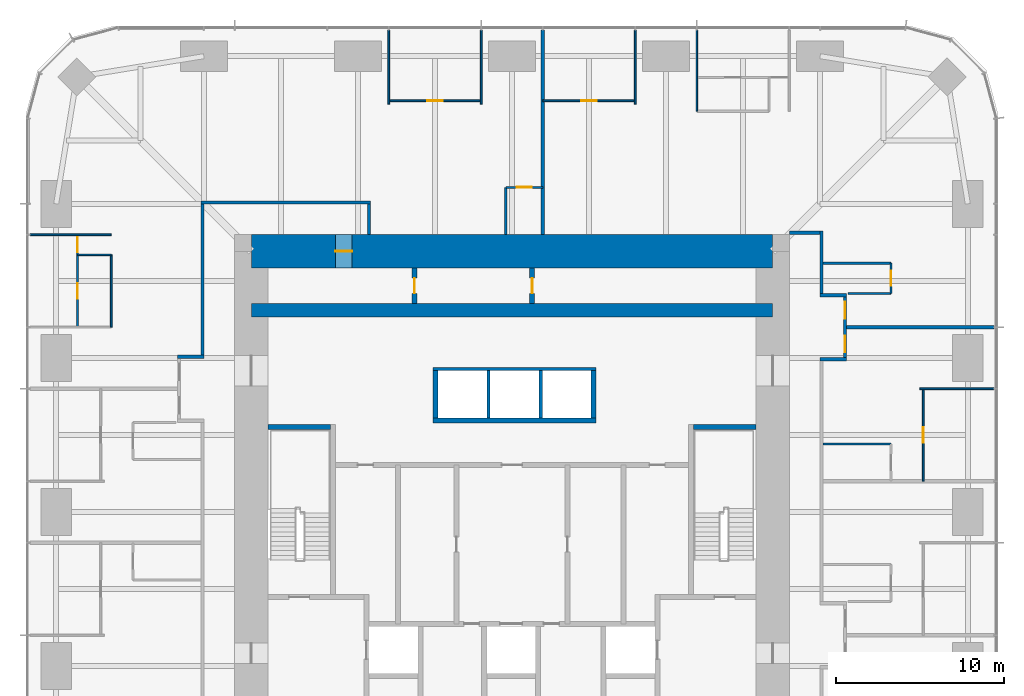
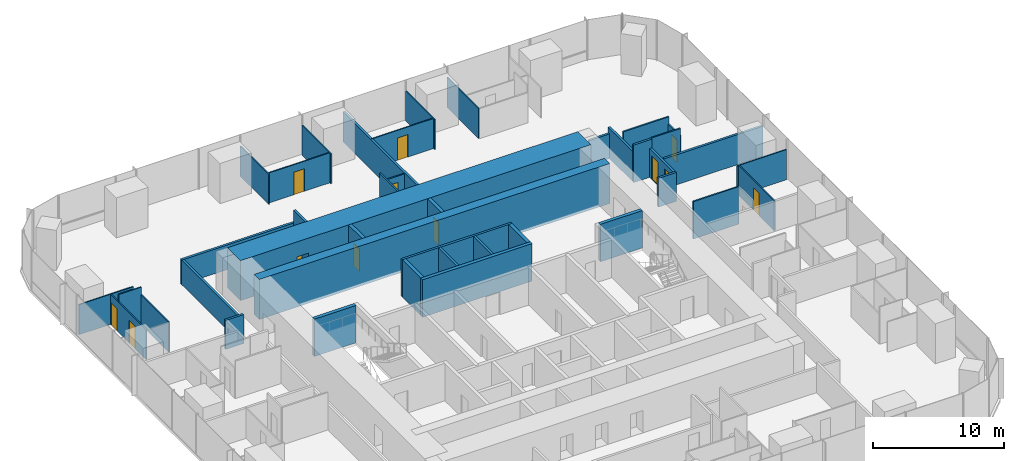
# One storey, part 11 of 13: 41 walls, 12 doors, 12 openings.
"""IFC4 building model written with IfcOpenShell, lengths in metres."""

from ifc_helpers import new_model, si_unit, direction, frame, frame_2d, origin, place, context, subcontext, project, spatial, rectangle, extrude, material, layer, layer_set, type_object, element, fill, save


model = new_model("IFC4")

# Units and contexts
model_context = context("Model", 3, precision=1e-05, world=origin(), true_north=direction((0.0, 1.0)))
body_context = subcontext(model_context, "Body", "Model", "MODEL_VIEW")
ifc_project = project(units=[si_unit("LENGTHUNIT", "METRE"), si_unit("AREAUNIT", "SQUARE_METRE"), si_unit("VOLUMEUNIT", "CUBIC_METRE"), si_unit("PLANEANGLEUNIT", "RADIAN"), si_unit("MASSUNIT", "GRAM", prefix="KILO")], contexts=[model_context])

# Site, building, storey
site_placement = place(None, origin())
site = spatial("IfcSite", under=ifc_project, at=site_placement, CompositionType="ELEMENT")
building_placement = place(site_placement, origin())
building = spatial("IfcBuilding", under=site, at=building_placement, Name="Khuree Lantern Residences", CompositionType="ELEMENT")
storey_placement = place(building_placement, frame((0.0, 0.0, 137.25)))
storey = spatial("IfcBuildingStorey", under=building, at=storey_placement, Name="L34", CompositionType="ELEMENT", Elevation=137.25)

# Wall
ifc_material_1 = material(Name="Moisture-resistant gypsum board on steel studs", Category="steel")
ifc_layer_1 = layer(ifc_material_1, 0.125)
ifc_layer_set_1 = layer_set([ifc_layer_1], Name="BATHROOM WALL BTW125")
wall_type_1 = type_object("IfcWallType", Name="BATHROOM WALL BTW125", PredefinedType="PARTITIONING", material=ifc_layer_set_1)
wall_1_placement = place(storey_placement, frame((18.5, 4.031982421875, 0.0), z_axis=(0.0, 0.0, 1.0), x_axis=(1.0, 0.0, 0.0)))
element("IfcWall", 1, at=wall_1_placement, inside=storey, type_object=wall_type_1, Name="L34 BATHROOM WALL 02", PredefinedType="PARTITIONING", context=body_context, shape_type="SweptSolid", body=[
    extrude(rectangle(XDim=4.02978515625, YDim=0.125, at=frame_2d((2.014892578125, 0.0))), origin(), (0.0, 0.0, 1.0), 3.5),
])

# Wall, opening, door
wall_2_placement = place(storey_placement, frame((22.52978515625, 12.991943359375, 0.0), z_axis=(0.0, 0.0, 1.0), x_axis=(0.0, 1.0, 0.0)))
wall_2 = element("IfcWall", 2, at=wall_2_placement, inside=storey, type_object=wall_type_1, Name="L34 BATHROOM WALL 03", PredefinedType="PARTITIONING", context=body_context, shape_type="SweptSolid", body=[
    extrude(rectangle(XDim=1.800048828125, YDim=0.125, at=frame_2d((0.89990234375, 0.0))), origin(), (0.0, 0.0, 1.0), 2.81005859375),
])
opening_1_placement = place(wall_2_placement, frame((0.449951171875, 0.0, 0.0)))
opening_1 = element("IfcOpeningElement", 3, at=opening_1_placement, cuts=wall_2, Name="Opening 34-032", PredefinedType="OPENING", context=body_context, shape_type="SweptSolid", body=[
    extrude(rectangle(XDim=0.89990234375, YDim=2.10009765625, at=frame_2d((0.449951171875, 1.050048828125))), frame((0.0, 0.072509765625, 0.0), z_axis=(0.0, -1.0, 0.0), x_axis=(1.0, 0.0, 0.0)), (0.0, 0.0, 1.0), 0.14501953125),
])
ifc_material_2 = material(Name="Timber door leaf in hardwood frame", Category="wood")
door_type_1 = type_object("IfcDoorType", Name="BATHROOM DOOR 900X2100", OperationType="SINGLE_SWING_LEFT", PredefinedType="DOOR", material=ifc_material_2)
door_1_placement = place(opening_1_placement, origin())
door_1 = element("IfcDoor", 4, at=door_1_placement, inside=storey, type_object=door_type_1, Name="Bathroom door 34-032", OperationType="SINGLE_SWING_LEFT", OverallHeight=2.10009765625, OverallWidth=0.89990234375, PredefinedType="DOOR", context=body_context, shape_type="SweptSolid", body=[
    extrude(rectangle(XDim=0.89990234375, YDim=2.10009765625, at=frame_2d((0.449951171875, 1.050048828125))), frame((0.0, 0.02490234375, 0.0), z_axis=(0.0, -1.0, 0.0), x_axis=(1.0, 0.0, 0.0)), (0.0, 0.0, 1.0), 0.050048828125),
])
fill(opening_1, door_1)

# Walls
wall_3_placement = place(storey_placement, frame((19.969970703125, 12.991943359375, 0.0), z_axis=(0.0, 0.0, 1.0), x_axis=(1.0, 0.0, 0.0)))
element("IfcWall", 5, at=wall_3_placement, inside=storey, type_object=wall_type_1, Name="L34 BATHROOM WALL 03", PredefinedType="PARTITIONING", context=body_context, shape_type="SweptSolid", body=[
    extrude(rectangle(XDim=2.559814453125, YDim=0.125, at=frame_2d((1.27978515625, 0.0))), origin(), (0.0, 0.0, 1.0), 3.5),
])
wall_4_placement = place(storey_placement, frame((18.5, 14.7919921875, 0.0), z_axis=(0.0, 0.0, 1.0), x_axis=(1.0, 0.0, 0.0)))
element("IfcWall", 6, at=wall_4_placement, inside=storey, type_object=wall_type_1, Name="L34 BATHROOM WALL 03", PredefinedType="PARTITIONING", context=body_context, shape_type="SweptSolid", body=[
    extrude(rectangle(XDim=4.02978515625, YDim=0.125, at=frame_2d((2.014892578125, 0.0))), origin(), (0.0, 0.0, 1.0), 3.5),
])

# Wall, opening, door
wall_5_placement = place(storey_placement, frame((1.83203125, 19.300048828125, 0.0), z_axis=(0.0, 0.0, 1.0), x_axis=(-1.0, 0.0, 0.0)))
wall_5 = element("IfcWall", 7, at=wall_5_placement, inside=storey, type_object=wall_type_1, Name="L34 BATHROOM WALL 04", PredefinedType="PARTITIONING", context=body_context, shape_type="SweptSolid", body=[
    extrude(rectangle(XDim=2.199951171875, YDim=0.125, at=frame_2d((1.10009765625, 0.0))), origin(), (0.0, 0.0, 1.0), 2.699951171875),
])
opening_2_placement = place(wall_5_placement, frame((0.64990234375, 0.0, 0.0)))
opening_2 = element("IfcOpeningElement", 8, at=opening_2_placement, cuts=wall_5, Name="Opening 34-037", PredefinedType="OPENING", context=body_context, shape_type="SweptSolid", body=[
    extrude(rectangle(XDim=0.89990234375, YDim=2.10009765625, at=frame_2d((0.449951171875, 1.050048828125))), frame((0.0, 0.072509765625, 0.0), z_axis=(0.0, -1.0, 0.0), x_axis=(1.0, 0.0, 0.0)), (0.0, 0.0, 1.0), 0.14501953125),
])
door_2_placement = place(opening_2_placement, origin())
door_2 = element("IfcDoor", 9, at=door_2_placement, inside=storey, type_object=door_type_1, Name="Bathroom door 34-037", OperationType="SINGLE_SWING_LEFT", OverallHeight=2.10009765625, OverallWidth=0.89990234375, PredefinedType="DOOR", context=body_context, shape_type="SweptSolid", body=[
    extrude(rectangle(XDim=0.89990234375, YDim=2.10009765625, at=frame_2d((0.449951171875, 1.050048828125))), frame((0.0, 0.02490234375, 0.0), z_axis=(0.0, -1.0, 0.0), x_axis=(1.0, 0.0, 0.0)), (0.0, 0.0, 1.0), 0.050048828125),
])
fill(opening_2, door_2)

# Walls
wall_6_placement = place(storey_placement, frame((-0.367919921875, 16.5, 0.0), z_axis=(0.0, 0.0, 1.0), x_axis=(0.0, 1.0, 0.0)))
element("IfcWall", 10, at=wall_6_placement, inside=storey, type_object=wall_type_1, Name="L34 BATHROOM WALL 04", PredefinedType="PARTITIONING", context=body_context, shape_type="SweptSolid", body=[
    extrude(rectangle(XDim=2.800048828125, YDim=0.125, at=frame_2d((1.39990234375, 0.0))), origin(), (0.0, 0.0, 1.0), 3.5),
])
ifc_material_3 = material(Name="Dense concrete blockwork", Category="masonry")
ifc_layer_2 = layer(ifc_material_3, 0.300048828125)
ifc_layer_set_2 = layer_set([ifc_layer_2], Name="CORE PARTITION WALL CPW300 EI 120")
wall_type_2 = type_object("IfcWallType", Name="CORE PARTITION WALL CPW300 EI 120", PredefinedType="PARTITIONING", material=ifc_layer_set_2)
wall_7_placement = place(storey_placement, frame((-4.699951171875, 5.449951171875, 0.0), z_axis=(0.0, 0.0, 1.0), x_axis=(1.0, 0.0, 0.0)))
element("IfcWall", 11, at=wall_7_placement, inside=storey, type_object=wall_type_2, Name="L34 CORE WALL PHS", PredefinedType="PARTITIONING", context=body_context, shape_type="SweptSolid", body=[
    extrude(rectangle(XDim=9.699951171875, YDim=0.300048828125, at=frame_2d((4.85009765625, 0.0))), origin(), (0.0, 0.0, 1.0), 3.5),
])
for number, where, z_axis, x_axis, name in (
    (12, (-4.550048828125, 5.60009765625, 0.0), (0.0, 0.0, 1.0), (0.0, 1.0, 0.0), "L34 CORE WALL PHW"),
    (13, (4.85009765625, 5.60009765625, 0.0), (0.0, 0.0, 1.0), (0.0, 1.0, 0.0), "L34 CORE WALL PHE"),
):
    element("IfcWall", number, at=place(storey_placement, frame(where, z_axis=z_axis, x_axis=x_axis)), inside=storey, type_object=wall_type_2, Name=name, PredefinedType="PARTITIONING", context=body_context, shape_type="SweptSolid", body=[
        extrude(rectangle(XDim=2.7998046875, YDim=0.300048828125, at=frame_2d((1.39990234375, 0.0))), origin(), (0.0, 0.0, 1.0), 3.5),
    ])

# Wall, opening, door
wall_8_placement = place(storey_placement, frame((-5.800048828125, 12.39990234375, 0.0), z_axis=(0.0, 0.0, 1.0), x_axis=(0.0, 1.0, 0.0)))
wall_8 = element("IfcWall", 14, at=wall_8_placement, inside=storey, type_object=wall_type_2, Name="L34 CORE WALL PLX", PredefinedType="PARTITIONING", context=body_context, shape_type="SweptSolid", body=[
    extrude(rectangle(XDim=2.10009765625, YDim=0.300048828125, at=frame_2d((1.050048828125, 0.0))), origin(), (0.0, 0.0, 1.0), 3.5),
])
opening_3_placement = place(wall_8_placement, frame((0.60009765625, 0.0, 0.0)))
opening_3 = element("IfcOpeningElement", 15, at=opening_3_placement, cuts=wall_8, Name="Opening 34-020", PredefinedType="OPENING", context=body_context, shape_type="SweptSolid", body=[
    extrude(rectangle(XDim=0.89990234375, YDim=2.10009765625, at=frame_2d((0.449951171875, 1.050048828125))), frame((0.0, 0.16015625, 0.0), z_axis=(0.0, -1.0, 0.0), x_axis=(1.0, 0.0, 0.0)), (0.0, 0.0, 1.0), 0.320068359375),
])
door_type_2 = type_object("IfcDoorType", Name="DOOR 900X2100", OperationType="SINGLE_SWING_LEFT", PredefinedType="DOOR", material=ifc_material_2)
door_3_placement = place(opening_3_placement, origin())
door_3 = element("IfcDoor", 16, at=door_3_placement, inside=storey, type_object=door_type_2, Name="Maintenance store door 34-020", OperationType="SINGLE_SWING_LEFT", OverallHeight=2.10009765625, OverallWidth=0.89990234375, PredefinedType="DOOR", context=body_context, shape_type="SweptSolid", body=[
    extrude(rectangle(XDim=0.89990234375, YDim=2.10009765625, at=frame_2d((0.449951171875, 1.050048828125))), frame((0.0, 0.02490234375, 0.0), z_axis=(0.0, -1.0, 0.0), x_axis=(1.0, 0.0, 0.0)), (0.0, 0.0, 1.0), 0.050048828125),
])
fill(opening_3, door_3)

wall_9_placement = place(storey_placement, frame((1.199951171875, 12.39990234375, 0.0), z_axis=(0.0, 0.0, 1.0), x_axis=(0.0, 1.0, 0.0)))
wall_9 = element("IfcWall", 17, at=wall_9_placement, inside=storey, type_object=wall_type_2, Name="L34 CORE WALL PLY", PredefinedType="PARTITIONING", context=body_context, shape_type="SweptSolid", body=[
    extrude(rectangle(XDim=2.10009765625, YDim=0.300048828125, at=frame_2d((1.050048828125, 0.0))), origin(), (0.0, 0.0, 1.0), 3.5),
])
opening_4_placement = place(wall_9_placement, frame((0.60009765625, 0.0, 0.0)))
opening_4 = element("IfcOpeningElement", 18, at=opening_4_placement, cuts=wall_9, Name="Opening 34-021", PredefinedType="OPENING", context=body_context, shape_type="SweptSolid", body=[
    extrude(rectangle(XDim=0.89990234375, YDim=2.10009765625, at=frame_2d((0.449951171875, 1.050048828125))), frame((0.0, 0.16015625, 0.0), z_axis=(0.0, -1.0, 0.0), x_axis=(1.0, 0.0, 0.0)), (0.0, 0.0, 1.0), 0.320068359375),
])
door_4_placement = place(opening_4_placement, origin())
door_4 = element("IfcDoor", 19, at=door_4_placement, inside=storey, type_object=door_type_2, Name="Cleaner's store door 34-021", OperationType="SINGLE_SWING_LEFT", OverallHeight=2.10009765625, OverallWidth=0.89990234375, PredefinedType="DOOR", context=body_context, shape_type="SweptSolid", body=[
    extrude(rectangle(XDim=0.89990234375, YDim=2.10009765625, at=frame_2d((0.449951171875, 1.050048828125))), frame((0.0, 0.02490234375, 0.0), z_axis=(0.0, -1.0, 0.0), x_axis=(1.0, 0.0, 0.0)), (0.0, 0.0, 1.0), 0.050048828125),
])
fill(opening_4, door_4)

# Walls
ifc_material_4 = material(Name="Gypsum board on steel studs", Category="steel")
ifc_layer_3 = layer(ifc_material_4, 0.199951171875)
ifc_layer_set_3 = layer_set([ifc_layer_3], Name="CORRIDOR WALL CRW200 EI 60")
wall_type_3 = type_object("IfcWallType", Name="CORRIDOR WALL CRW200 EI 60", PredefinedType="PARTITIONING", material=ifc_layer_set_3)
wall_10_placement = place(storey_placement, frame((16.5, 16.60009765625, 0.0), z_axis=(0.0, 0.0, 1.0), x_axis=(1.0, 0.0, 0.0)))
element("IfcWall", 20, at=wall_10_placement, inside=storey, type_object=wall_type_3, Name="L34 EAST CORRIDOR NORTH END WALL", PredefinedType="PARTITIONING", context=body_context, shape_type="SweptSolid", body=[
    extrude(rectangle(XDim=1.800048828125, YDim=0.199951171875, at=frame_2d((0.89990234375, 0.0))), origin(), (0.0, 0.0, 1.0), 2.300048828125),
])
wall_11_placement = place(storey_placement, frame((-18.5, 18.39990234375, 0.0), z_axis=(0.0, 0.0, 1.0), x_axis=(1.0, 0.0, 0.0)))
element("IfcWall", 21, at=wall_11_placement, inside=storey, type_object=wall_type_3, Name="L34 CORRIDOR WALL NORTH", PredefinedType="PARTITIONING", context=body_context, shape_type="SweptSolid", body=[
    extrude(rectangle(XDim=10.10009765625, YDim=0.199951171875, at=frame_2d((5.050048828125, 0.0))), origin(), (0.0, 0.0, 1.0), 2.300048828125),
])
wall_12_placement = place(storey_placement, frame((-8.5, 18.300048828125, 0.0), z_axis=(0.0, 0.0, 1.0), x_axis=(0.0, -1.0, 0.0)))
element("IfcWall", 22, at=wall_12_placement, inside=storey, type_object=wall_type_3, Name="L34 NORTH CORRIDOR END WALL", PredefinedType="PARTITIONING", context=body_context, shape_type="SweptSolid", body=[
    extrude(rectangle(XDim=1.800048828125, YDim=0.199951171875, at=frame_2d((0.89990234375, 0.0))), origin(), (0.0, 0.0, 1.0), 3.5),
])
wall_13_placement = place(storey_placement, frame((18.300048828125, 9.092041015625, 0.0), z_axis=(0.0, 0.0, 1.0), x_axis=(1.0, 0.0, 0.0)))
element("IfcWall", 23, at=wall_13_placement, inside=storey, type_object=wall_type_3, Name="L34 CORRIDOR ALCOVE WALL EAST", PredefinedType="PARTITIONING", context=body_context, shape_type="SweptSolid", body=[
    extrude(rectangle(XDim=1.599853515625, YDim=0.199951171875, at=frame_2d((0.7998046875, 0.0))), origin(), (0.0, 0.0, 1.0), 2.699951171875),
])
wall_14_placement = place(storey_placement, frame((18.300048828125, 12.89208984375, 0.0), z_axis=(0.0, 0.0, 1.0), x_axis=(1.0, 0.0, 0.0)))
element("IfcWall", 24, at=wall_14_placement, inside=storey, type_object=wall_type_3, Name="L34 CORRIDOR ALCOVE WALL EAST", PredefinedType="PARTITIONING", context=body_context, shape_type="SweptSolid", body=[
    extrude(rectangle(XDim=1.599853515625, YDim=0.199951171875, at=frame_2d((0.7998046875, 0.0))), origin(), (0.0, 0.0, 1.0), 3.5),
])

# Wall, openings, doors
wall_15_placement = place(storey_placement, frame((19.800048828125, 9.19189453125, 0.0), z_axis=(0.0, 0.0, 1.0), x_axis=(0.0, 1.0, 0.0)))
wall_15 = element("IfcWall", 25, at=wall_15_placement, inside=storey, type_object=wall_type_3, Name="L34 CORRIDOR ALCOVE WALL EAST", PredefinedType="PARTITIONING", context=body_context, shape_type="SweptSolid", body=[
    extrude(rectangle(XDim=3.60009765625, YDim=0.199951171875, at=frame_2d((1.800048828125, 0.0))), origin(), (0.0, 0.0, 1.0), 2.699951171875),
])
opening_5_placement = place(wall_15_placement, frame((0.300048828125, 0.0, 0.0)))
opening_5 = element("IfcOpeningElement", 26, at=opening_5_placement, cuts=wall_15, Name="Opening 34-028", PredefinedType="OPENING", context=body_context, shape_type="SweptSolid", body=[
    extrude(rectangle(XDim=1.0, YDim=2.199951171875, at=frame_2d((0.5, 1.10009765625))), frame((0.0, 0.10986328125, 0.0), z_axis=(0.0, -1.0, 0.0), x_axis=(1.0, 0.0, 0.0)), (0.0, 0.0, 1.0), 0.219970703125),
])
opening_6_placement = place(wall_15_placement, frame((2.300048828125, 0.0, 0.0)))
opening_6 = element("IfcOpeningElement", 27, at=opening_6_placement, cuts=wall_15, Name="Opening 34-033", PredefinedType="OPENING", context=body_context, shape_type="SweptSolid", body=[
    extrude(rectangle(XDim=1.0, YDim=2.199951171875, at=frame_2d((0.5, 1.10009765625))), frame((0.0, 0.10986328125, 0.0), z_axis=(0.0, -1.0, 0.0), x_axis=(1.0, 0.0, 0.0)), (0.0, 0.0, 1.0), 0.219970703125),
])
door_type_3 = type_object("IfcDoorType", Name="APARTMENT ENTRANCE DOOR 1000X2200 EI 30S", OperationType="SINGLE_SWING_LEFT", PredefinedType="DOOR", material=ifc_material_2)
door_5_placement = place(opening_5_placement, origin())
door_5 = element("IfcDoor", 28, at=door_5_placement, inside=storey, type_object=door_type_3, Name="Apartment 02 entrance door 34-028", OperationType="SINGLE_SWING_LEFT", OverallHeight=2.199951171875, OverallWidth=1.0, PredefinedType="DOOR", context=body_context, shape_type="SweptSolid", body=[
    extrude(rectangle(XDim=1.0, YDim=2.199951171875, at=frame_2d((0.5, 1.10009765625))), frame((0.0, 0.02490234375, 0.0), z_axis=(0.0, -1.0, 0.0), x_axis=(1.0, 0.0, 0.0)), (0.0, 0.0, 1.0), 0.050048828125),
])
fill(opening_5, door_5)
door_type_4 = type_object("IfcDoorType", Name="APARTMENT ENTRANCE DOOR 1000X2200 EI 30S RIGHT HAND", OperationType="SINGLE_SWING_RIGHT", PredefinedType="DOOR", material=ifc_material_2)
door_6_placement = place(opening_6_placement, origin())
door_6 = element("IfcDoor", 29, at=door_6_placement, inside=storey, type_object=door_type_4, Name="Apartment 03 entrance door 34-033", OperationType="SINGLE_SWING_RIGHT", OverallHeight=2.199951171875, OverallWidth=1.0, PredefinedType="DOOR", context=body_context, shape_type="SweptSolid", body=[
    extrude(rectangle(XDim=1.0, YDim=2.199951171875, at=frame_2d((0.5, 1.10009765625))), frame((0.0, 0.02490234375, 0.0), z_axis=(0.0, -1.0, 0.0), x_axis=(1.0, 0.0, 0.0)), (0.0, 0.0, 1.0), 0.050048828125),
])
fill(opening_6, door_6)

# Walls
wall_16_placement = place(storey_placement, frame((18.39990234375, 12.991943359375, 0.0), z_axis=(0.0, 0.0, 1.0), x_axis=(0.0, 1.0, 0.0)))
element("IfcWall", 30, at=wall_16_placement, inside=storey, type_object=wall_type_3, Name="L34 CORRIDOR WALL EAST 3", PredefinedType="PARTITIONING", context=body_context, shape_type="SweptSolid", body=[
    extrude(rectangle(XDim=3.7080078125, YDim=0.199951171875, at=frame_2d((1.85400390625, 0.0))), origin(), (0.0, 0.0, 1.0), 2.81005859375),
])
wall_17_placement = place(storey_placement, frame((-18.39990234375, 18.300048828125, 0.0), z_axis=(0.0, 0.0, 1.0), x_axis=(0.0, -1.0, 0.0)))
element("IfcWall", 31, at=wall_17_placement, inside=storey, type_object=wall_type_3, Name="L34 CORRIDOR WALL WEST 1", PredefinedType="PARTITIONING", context=body_context, shape_type="SweptSolid", body=[
    extrude(rectangle(XDim=8.97216796875, YDim=0.199951171875, at=frame_2d((4.486083984375, 0.0))), origin(), (0.0, 0.0, 1.0), 2.300048828125),
])
wall_18_placement = place(storey_placement, frame((-18.300048828125, 9.22802734375, 0.0), z_axis=(0.0, 0.0, 1.0), x_axis=(-1.0, 0.0, 0.0)))
element("IfcWall", 32, at=wall_18_placement, inside=storey, type_object=wall_type_3, Name="L34 CORRIDOR ALCOVE WALL WEST", PredefinedType="PARTITIONING", context=body_context, shape_type="SweptSolid", body=[
    extrude(rectangle(XDim=1.599853515625, YDim=0.199951171875, at=frame_2d((0.7998046875, 0.0))), origin(), (0.0, 0.0, 1.0), 2.699951171875),
])

# Wall, opening, door
ifc_material_5 = material(Name="Concrete C70/85", Category="concrete")
ifc_layer_4 = layer(ifc_material_5, 2.0)
ifc_layer_set_4 = layer_set([ifc_layer_4], Name="CW2000-C70 CORE WALL C70 2000")
wall_type_4 = type_object("IfcWallType", Name="CW2000-C70 CORE WALL C70 2000", PredefinedType="SHEAR", material=ifc_layer_set_4)
wall_19_placement = place(storey_placement, frame((-15.5, 15.5, -0.25), z_axis=(0.0, 0.0, 1.0), x_axis=(1.0, 0.0, 0.0)))
wall_19 = element("IfcWall", 33, at=wall_19_placement, inside=storey, type_object=wall_type_4, Name="Core wall N", PredefinedType="SHEAR", context=body_context, shape_type="SweptSolid", body=[
    extrude(rectangle(XDim=31.0, YDim=2.0, at=frame_2d((15.5, 0.0))), origin(), (0.0, 0.0, 1.0), 3.75),
])
opening_7_placement = place(wall_19_placement, frame((5.0, 0.0, 0.25)))
opening_7 = element("IfcOpeningElement", 34, at=opening_7_placement, cuts=wall_19, Name="Opening 34-022", PredefinedType="OPENING", context=body_context, shape_type="SweptSolid", body=[
    extrude(rectangle(XDim=1.0, YDim=2.10009765625, at=frame_2d((0.5, 1.050048828125))), frame((0.0, 1.010009765625, 0.0), z_axis=(0.0, -1.0, 0.0), x_axis=(1.0, 0.0, 0.0)), (0.0, 0.0, 1.0), 2.02001953125),
])
ifc_material_6 = material(Name="Steel door leaf in steel frame", Category="steel")
door_type_5 = type_object("IfcDoorType", Name="DOOR 1000X2100 EI 60 RIGHT HAND", OperationType="SINGLE_SWING_RIGHT", PredefinedType="DOOR", material=ifc_material_6)
door_7_placement = place(opening_7_placement, origin())
door_7 = element("IfcDoor", 35, at=door_7_placement, inside=storey, type_object=door_type_5, Name="Residents' store door 34-022", OperationType="SINGLE_SWING_RIGHT", OverallHeight=2.10009765625, OverallWidth=1.0, PredefinedType="DOOR", context=body_context, shape_type="SweptSolid", body=[
    extrude(rectangle(XDim=1.0, YDim=2.10009765625, at=frame_2d((0.5, 1.050048828125))), frame((0.0, 0.02490234375, 0.0), z_axis=(0.0, -1.0, 0.0), x_axis=(1.0, 0.0, 0.0)), (0.0, 0.0, 1.0), 0.050048828125),
])
fill(opening_7, door_7)

# Walls
ifc_layer_5 = layer(ifc_material_4, 0.199951171875)
ifc_layer_set_5 = layer_set([ifc_layer_5], Name="DEMISING WALL DMW200 EI 90")
wall_type_5 = type_object("IfcWallType", Name="DEMISING WALL DMW200 EI 90", PredefinedType="PARTITIONING", material=ifc_layer_set_5)
wall_20_placement = place(storey_placement, frame((19.89990234375, 10.991943359375, 0.0), z_axis=(0.0, 0.0, 1.0), x_axis=(1.0, 0.0, 0.0)))
element("IfcWall", 36, at=wall_20_placement, inside=storey, type_object=wall_type_5, Name="L34 DEMISING WALL 03", PredefinedType="PARTITIONING", context=body_context, shape_type="SweptSolid", body=[
    extrude(rectangle(XDim=8.75, YDim=0.199951171875, at=frame_2d((4.375, 0.0))), origin(), (0.0, 0.0, 1.0), 2.81005859375),
])
wall_21_placement = place(storey_placement, frame((1.83203125, 16.5, 0.0), z_axis=(0.0, 0.0, 1.0), x_axis=(0.0, 1.0, 0.0)))
element("IfcWall", 37, at=wall_21_placement, inside=storey, type_object=wall_type_5, Name="L34 DEMISING WALL 04", PredefinedType="PARTITIONING", context=body_context, shape_type="SweptSolid", body=[
    extrude(rectangle(XDim=12.14990234375, YDim=0.199951171875, at=frame_2d((6.074951171875, 0.0))), origin(), (0.0, 0.0, 1.0), 2.81005859375),
])
ifc_layer_6 = layer(ifc_material_4, 0.10009765625)
ifc_layer_set_6 = layer_set([ifc_layer_6], Name="PARTITION PT100")
wall_type_6 = type_object("IfcWallType", Name="PARTITION PT100", PredefinedType="PARTITIONING", material=ifc_layer_set_6)
wall_22_placement = place(storey_placement, frame((24.25, 7.327880859375, 0.0), z_axis=(0.0, 0.0, 1.0), x_axis=(1.0, 0.0, 0.0)))
element("IfcWall", 38, at=wall_22_placement, inside=storey, type_object=wall_type_6, Name="L34 PARTITION 02", PredefinedType="PARTITIONING", context=body_context, shape_type="SweptSolid", body=[
    extrude(rectangle(XDim=4.39990234375, YDim=0.10009765625, at=frame_2d((2.199951171875, 0.0))), origin(), (0.0, 0.0, 1.0), 2.81005859375),
])
wall_23_placement = place(storey_placement, frame((10.991943359375, 23.829833984375, 0.0), z_axis=(0.0, 0.0, 1.0), x_axis=(0.0, 1.0, 0.0)))
element("IfcWall", 39, at=wall_23_placement, inside=storey, type_object=wall_type_6, Name="L34 PARTITION 03", PredefinedType="PARTITIONING", context=body_context, shape_type="SweptSolid", body=[
    extrude(rectangle(XDim=4.820068359375, YDim=0.10009765625, at=frame_2d((2.41015625, 0.0))), origin(), (0.0, 0.0, 1.0), 2.81005859375),
])
for number, where, z_axis, x_axis, name in (
    (40, (7.327880859375, 24.25, 0.0), (0.0, 0.0, 1.0), (0.0, 1.0, 0.0), "L34 PARTITION 03"),
    (41, (-1.83203125, 24.25, 0.0), (0.0, 0.0, 1.0), (0.0, 1.0, 0.0), "L34 PARTITION 04"),
    (42, (-7.327880859375, 24.25, 0.0), (0.0, 0.0, 1.0), (0.0, 1.0, 0.0), "L34 PARTITION 04"),
):
    element("IfcWall", number, at=place(storey_placement, frame(where, z_axis=z_axis, x_axis=x_axis)), inside=storey, type_object=wall_type_6, Name=name, PredefinedType="PARTITIONING", context=body_context, shape_type="SweptSolid", body=[
        extrude(rectangle(XDim=4.39990234375, YDim=0.10009765625, at=frame_2d((2.199951171875, 0.0))), origin(), (0.0, 0.0, 1.0), 2.81005859375),
    ])
wall_24_placement = place(storey_placement, frame((-23.829833984375, 16.488037109375, 0.0), z_axis=(0.0, 0.0, 1.0), x_axis=(-1.0, 0.0, 0.0)))
element("IfcWall", 43, at=wall_24_placement, inside=storey, type_object=wall_type_6, Name="L34 PARTITION 04", PredefinedType="PARTITIONING", context=body_context, shape_type="SweptSolid", body=[
    extrude(rectangle(XDim=4.820068359375, YDim=0.10009765625, at=frame_2d((2.41015625, 0.0))), origin(), (0.0, 0.0, 1.0), 2.81005859375),
])

# Wall, opening, door
wall_25_placement = place(storey_placement, frame((24.449951171875, 1.83203125, 0.0), z_axis=(0.0, 0.0, 1.0), x_axis=(0.0, 1.0, 0.0)))
wall_25 = element("IfcWall", 44, at=wall_25_placement, inside=storey, type_object=wall_type_6, Name="L34 PARTITION 02", PredefinedType="PARTITIONING", context=body_context, shape_type="SweptSolid", body=[
    extrude(rectangle(XDim=5.495849609375, YDim=0.10009765625, at=frame_2d((2.748046875, 0.0))), origin(), (0.0, 0.0, 1.0), 2.81005859375),
])
opening_8_placement = place(wall_25_placement, frame((2.298095703125, 0.0, 0.0)))
opening_8 = element("IfcOpeningElement", 45, at=opening_8_placement, cuts=wall_25, Name="Opening 34-026", PredefinedType="OPENING", context=body_context, shape_type="SweptSolid", body=[
    extrude(rectangle(XDim=0.89990234375, YDim=2.10009765625, at=frame_2d((0.449951171875, 1.050048828125))), frame((0.0, 0.06005859375, 0.0), z_axis=(0.0, -1.0, 0.0), x_axis=(1.0, 0.0, 0.0)), (0.0, 0.0, 1.0), 0.1201171875),
])
door_type_6 = type_object("IfcDoorType", Name="BEDROOM DOOR 900X2100", OperationType="SINGLE_SWING_LEFT", PredefinedType="DOOR", material=ifc_material_2)
door_8_placement = place(opening_8_placement, origin())
door_8 = element("IfcDoor", 46, at=door_8_placement, inside=storey, type_object=door_type_6, Name="Bedroom door 34-026", OperationType="SINGLE_SWING_LEFT", OverallHeight=2.10009765625, OverallWidth=0.89990234375, PredefinedType="DOOR", context=body_context, shape_type="SweptSolid", body=[
    extrude(rectangle(XDim=0.89990234375, YDim=2.10009765625, at=frame_2d((0.449951171875, 1.050048828125))), frame((0.0, 0.02490234375, 0.0), z_axis=(0.0, -1.0, 0.0), x_axis=(1.0, 0.0, 0.0)), (0.0, 0.0, 1.0), 0.050048828125),
])
fill(opening_8, door_8)

wall_26_placement = place(storey_placement, frame((7.327880859375, 24.449951171875, 0.0), z_axis=(0.0, 0.0, 1.0), x_axis=(-1.0, 0.0, 0.0)))
wall_26 = element("IfcWall", 47, at=wall_26_placement, inside=storey, type_object=wall_type_6, Name="L34 PARTITION 03", PredefinedType="PARTITIONING", context=body_context, shape_type="SweptSolid", body=[
    extrude(rectangle(XDim=5.495849609375, YDim=0.10009765625, at=frame_2d((2.748046875, 0.0))), origin(), (0.0, 0.0, 1.0), 2.81005859375),
])
opening_9_placement = place(wall_26_placement, frame((2.298095703125, 0.0, 0.0)))
opening_9 = element("IfcOpeningElement", 48, at=opening_9_placement, cuts=wall_26, Name="Opening 34-031", PredefinedType="OPENING", context=body_context, shape_type="SweptSolid", body=[
    extrude(rectangle(XDim=0.89990234375, YDim=2.10009765625, at=frame_2d((0.449951171875, 1.050048828125))), frame((0.0, 0.06005859375, 0.0), z_axis=(0.0, -1.0, 0.0), x_axis=(1.0, 0.0, 0.0)), (0.0, 0.0, 1.0), 0.1201171875),
])
door_type_7 = type_object("IfcDoorType", Name="BEDROOM DOOR 900X2100 RIGHT HAND", OperationType="SINGLE_SWING_RIGHT", PredefinedType="DOOR", material=ifc_material_2)
door_9_placement = place(opening_9_placement, origin())
door_9 = element("IfcDoor", 49, at=door_9_placement, inside=storey, type_object=door_type_7, Name="Bedroom door 34-031", OperationType="SINGLE_SWING_RIGHT", OverallHeight=2.10009765625, OverallWidth=0.89990234375, PredefinedType="DOOR", context=body_context, shape_type="SweptSolid", body=[
    extrude(rectangle(XDim=0.89990234375, YDim=2.10009765625, at=frame_2d((0.449951171875, 1.050048828125))), frame((0.0, 0.02490234375, 0.0), z_axis=(0.0, -1.0, 0.0), x_axis=(1.0, 0.0, 0.0)), (0.0, 0.0, 1.0), 0.050048828125),
])
fill(opening_9, door_9)

wall_27_placement = place(storey_placement, frame((-1.83203125, 24.449951171875, 0.0), z_axis=(0.0, 0.0, 1.0), x_axis=(-1.0, 0.0, 0.0)))
wall_27 = element("IfcWall", 50, at=wall_27_placement, inside=storey, type_object=wall_type_6, Name="L34 PARTITION 04", PredefinedType="PARTITIONING", context=body_context, shape_type="SweptSolid", body=[
    extrude(rectangle(XDim=5.495849609375, YDim=0.10009765625, at=frame_2d((2.748046875, 0.0))), origin(), (0.0, 0.0, 1.0), 2.81005859375),
])
opening_10_placement = place(wall_27_placement, frame((2.298095703125, 0.0, 0.0)))
opening_10 = element("IfcOpeningElement", 51, at=opening_10_placement, cuts=wall_27, Name="Opening 34-034", PredefinedType="OPENING", context=body_context, shape_type="SweptSolid", body=[
    extrude(rectangle(XDim=0.89990234375, YDim=2.10009765625, at=frame_2d((0.449951171875, 1.050048828125))), frame((0.0, 0.06005859375, 0.0), z_axis=(0.0, -1.0, 0.0), x_axis=(1.0, 0.0, 0.0)), (0.0, 0.0, 1.0), 0.1201171875),
])
door_10_placement = place(opening_10_placement, origin())
door_10 = element("IfcDoor", 52, at=door_10_placement, inside=storey, type_object=door_type_6, Name="Bedroom door 34-034", OperationType="SINGLE_SWING_LEFT", OverallHeight=2.10009765625, OverallWidth=0.89990234375, PredefinedType="DOOR", context=body_context, shape_type="SweptSolid", body=[
    extrude(rectangle(XDim=0.89990234375, YDim=2.10009765625, at=frame_2d((0.449951171875, 1.050048828125))), frame((0.0, 0.02490234375, 0.0), z_axis=(0.0, -1.0, 0.0), x_axis=(1.0, 0.0, 0.0)), (0.0, 0.0, 1.0), 0.050048828125),
])
fill(opening_10, door_10)

# Wall, openings, doors
wall_28_placement = place(storey_placement, frame((-25.829833984375, 16.488037109375, 0.0), z_axis=(0.0, 0.0, 1.0), x_axis=(0.0, -1.0, 0.0)))
wall_28 = element("IfcWall", 53, at=wall_28_placement, inside=storey, type_object=wall_type_6, Name="L34 PARTITION 04", PredefinedType="PARTITIONING", context=body_context, shape_type="SweptSolid", body=[
    extrude(rectangle(XDim=5.49609375, YDim=0.10009765625, at=frame_2d((2.748046875, 0.0))), origin(), (0.0, 0.0, 1.0), 2.81005859375),
])
opening_11_placement = place(wall_28_placement, frame((0.14990234375, 0.0, 0.0)))
opening_11 = element("IfcOpeningElement", 54, at=opening_11_placement, cuts=wall_28, Name="Opening 34-035", PredefinedType="OPENING", context=body_context, shape_type="SweptSolid", body=[
    extrude(rectangle(XDim=0.89990234375, YDim=2.10009765625, at=frame_2d((0.449951171875, 1.050048828125))), frame((0.0, 0.06005859375, 0.0), z_axis=(0.0, -1.0, 0.0), x_axis=(1.0, 0.0, 0.0)), (0.0, 0.0, 1.0), 0.1201171875),
])
opening_12_placement = place(wall_28_placement, frame((2.89794921875, 0.0, 0.0)))
opening_12 = element("IfcOpeningElement", 55, at=opening_12_placement, cuts=wall_28, Name="Opening 34-036", PredefinedType="OPENING", context=body_context, shape_type="SweptSolid", body=[
    extrude(rectangle(XDim=0.89990234375, YDim=2.10009765625, at=frame_2d((0.449951171875, 1.050048828125))), frame((0.0, 0.06005859375, 0.0), z_axis=(0.0, -1.0, 0.0), x_axis=(1.0, 0.0, 0.0)), (0.0, 0.0, 1.0), 0.1201171875),
])
door_11_placement = place(opening_11_placement, origin())
door_11 = element("IfcDoor", 56, at=door_11_placement, inside=storey, type_object=door_type_6, Name="Bedroom door 34-035", OperationType="SINGLE_SWING_LEFT", OverallHeight=2.10009765625, OverallWidth=0.89990234375, PredefinedType="DOOR", context=body_context, shape_type="SweptSolid", body=[
    extrude(rectangle(XDim=0.89990234375, YDim=2.10009765625, at=frame_2d((0.449951171875, 1.050048828125))), frame((0.0, 0.02490234375, 0.0), z_axis=(0.0, -1.0, 0.0), x_axis=(1.0, 0.0, 0.0)), (0.0, 0.0, 1.0), 0.050048828125),
])
fill(opening_11, door_11)
door_12_placement = place(opening_12_placement, origin())
door_12 = element("IfcDoor", 57, at=door_12_placement, inside=storey, type_object=door_type_2, Name="Wardrobe door 34-036", OperationType="SINGLE_SWING_LEFT", OverallHeight=2.10009765625, OverallWidth=0.89990234375, PredefinedType="DOOR", context=body_context, shape_type="SweptSolid", body=[
    extrude(rectangle(XDim=0.89990234375, YDim=2.10009765625, at=frame_2d((0.449951171875, 1.050048828125))), frame((0.0, 0.02490234375, 0.0), z_axis=(0.0, -1.0, 0.0), x_axis=(1.0, 0.0, 0.0)), (0.0, 0.0, 1.0), 0.050048828125),
])
fill(opening_12, door_12)

# Walls
wall_29_placement = place(storey_placement, frame((-23.829833984375, 15.2880859375, 0.0), z_axis=(0.0, 0.0, 1.0), x_axis=(-1.0, 0.0, 0.0)))
element("IfcWall", 58, at=wall_29_placement, inside=storey, type_object=wall_type_6, Name="L34 PARTITION 04", PredefinedType="PARTITIONING", context=body_context, shape_type="SweptSolid", body=[
    extrude(rectangle(XDim=2.0, YDim=0.10009765625, at=frame_2d((1.0, 0.0))), origin(), (0.0, 0.0, 1.0), 3.5),
])
wall_30_placement = place(storey_placement, frame((-23.829833984375, 15.2880859375, 0.0), z_axis=(0.0, 0.0, 1.0), x_axis=(0.0, -1.0, 0.0)))
element("IfcWall", 59, at=wall_30_placement, inside=storey, type_object=wall_type_6, Name="L34 PARTITION 04", PredefinedType="PARTITIONING", context=body_context, shape_type="SweptSolid", body=[
    extrude(rectangle(XDim=4.296142578125, YDim=0.10009765625, at=frame_2d((2.14794921875, 0.0))), origin(), (0.0, 0.0, 1.0), 2.81005859375),
])
ifc_layer_7 = layer(ifc_material_3, 0.199951171875)
ifc_layer_set_7 = layer_set([ifc_layer_7], Name="SHAFT WALL SHW200 EI 120")
wall_type_7 = type_object("IfcWallType", Name="SHAFT WALL SHW200 EI 120", PredefinedType="PARTITIONING", material=ifc_layer_set_7)
wall_31_placement = place(storey_placement, frame((-4.699951171875, 8.5, 0.0), z_axis=(0.0, 0.0, 1.0), x_axis=(1.0, 0.0, 0.0)))
element("IfcWall", 60, at=wall_31_placement, inside=storey, type_object=wall_type_7, Name="L34 CORE WALL PHN", PredefinedType="PARTITIONING", context=body_context, shape_type="SweptSolid", body=[
    extrude(rectangle(XDim=9.699951171875, YDim=0.199951171875, at=frame_2d((4.85009765625, 0.0))), origin(), (0.0, 0.0, 1.0), 3.5),
])
for number, where, z_axis, x_axis, name in (
    (61, (-1.39990234375, 5.60009765625, 0.0), (0.0, 0.0, 1.0), (0.0, 1.0, 0.0), "L34 CORE WALL PHD1"),
    (62, (1.699951171875, 5.60009765625, 0.0), (0.0, 0.0, 1.0), (0.0, 1.0, 0.0), "L34 CORE WALL PHD2"),
):
    element("IfcWall", number, at=place(storey_placement, frame(where, z_axis=z_axis, x_axis=x_axis)), inside=storey, type_object=wall_type_7, Name=name, PredefinedType="PARTITIONING", context=body_context, shape_type="SweptSolid", body=[
        extrude(rectangle(XDim=2.7998046875, YDim=0.199951171875, at=frame_2d((1.39990234375, 0.0))), origin(), (0.0, 0.0, 1.0), 3.5),
    ])
ifc_layer_8 = layer(ifc_material_5, 0.800048828125)
ifc_layer_set_8 = layer_set([ifc_layer_8], Name="SP800-C70 CORE SPINE WALL C70 800")
wall_type_8 = type_object("IfcWallType", Name="SP800-C70 CORE SPINE WALL C70 800", PredefinedType="SHEAR", material=ifc_layer_set_8)
wall_32_placement = place(storey_placement, frame((-15.5, 12.0, -0.25), z_axis=(0.0, 0.0, 1.0), x_axis=(1.0, 0.0, 0.0)))
element("IfcWall", 63, at=wall_32_placement, inside=storey, type_object=wall_type_8, Name="Core wall SPN", PredefinedType="SHEAR", context=body_context, shape_type="SweptSolid", body=[
    extrude(rectangle(XDim=31.0, YDim=0.800048828125, at=frame_2d((15.5, 0.0))), origin(), (0.0, 0.0, 1.0), 3.75),
])
ifc_material_7 = material(Name="Concrete C50/60", Category="concrete")
ifc_layer_9 = layer(ifc_material_7, 0.300048828125)
ifc_layer_set_9 = layer_set([ifc_layer_9], Name="STAIR WALL SRW300 C50/60 REI 240")
wall_type_9 = type_object("IfcWallType", Name="STAIR WALL SRW300 C50/60 REI 240", PredefinedType="SOLIDWALL", material=ifc_layer_set_9)
for number, where, z_axis, x_axis, name in (
    (64, (-14.5, 5.050048828125, 0.0), (0.0, 0.0, 1.0), (1.0, 0.0, 0.0), "L34 STAIR WALL ST1N"),
    (65, (14.5, 5.050048828125, 0.0), (0.0, 0.0, 1.0), (-1.0, 0.0, 0.0), "L34 STAIR WALL ST2N"),
):
    element("IfcWall", number, at=place(storey_placement, frame(where, z_axis=z_axis, x_axis=x_axis)), inside=storey, type_object=wall_type_9, Name=name, PredefinedType="SOLIDWALL", context=body_context, shape_type="SweptSolid", body=[
        extrude(rectangle(XDim=3.699951171875, YDim=0.300048828125, at=frame_2d((1.85009765625, 0.0))), origin(), (0.0, 0.0, 1.0), 3.5),
    ])

save(model, "model.ifc")
